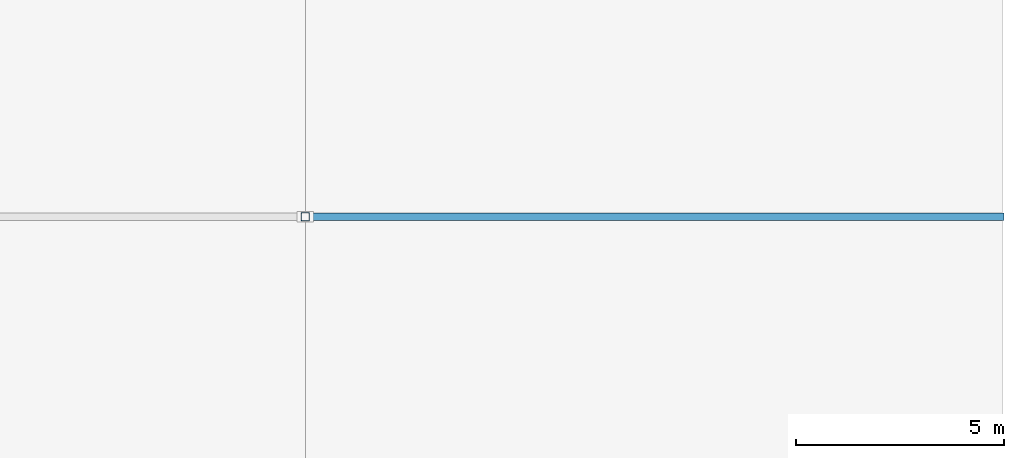
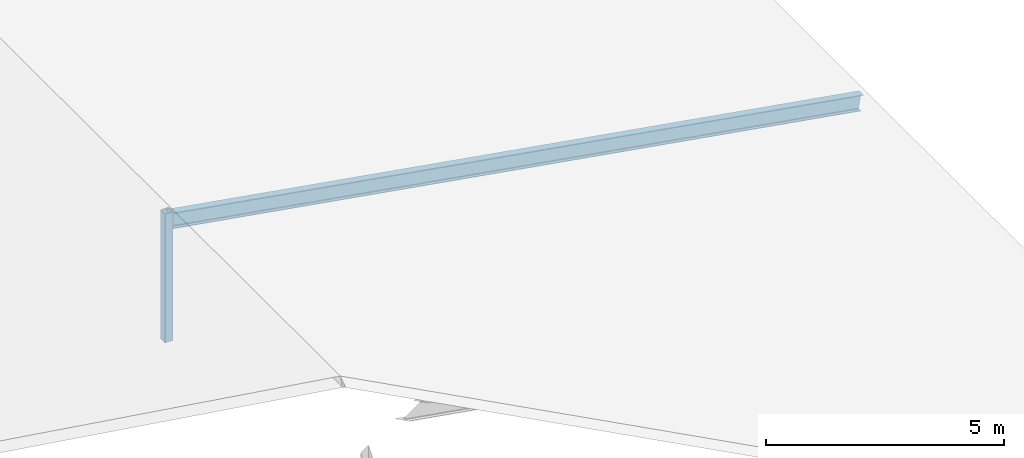
# One storey, part 12 of 31: 1 beam, 1 member.
"""IFC4 building model written with IfcOpenShell, lengths in metres."""

from ifc_helpers import new_model, si_unit, direction, frame, origin, origin_2d, place, context, subcontext, project, spatial, hollow_rectangle, i_section, extrude, material, material_profile, profile_set, type_object, element, save


model = new_model("IFC4")

# Units and contexts
model_context = context("Model", 3, precision=1e-05, world=origin(), true_north=direction((0.0, 1.0)))
body_context = subcontext(model_context, "Body", "Model", "MODEL_VIEW")
ifc_project = project(units=[si_unit("LENGTHUNIT", "METRE"), si_unit("AREAUNIT", "SQUARE_METRE"), si_unit("VOLUMEUNIT", "CUBIC_METRE"), si_unit("PLANEANGLEUNIT", "RADIAN"), si_unit("MASSUNIT", "GRAM", prefix="KILO")], contexts=[model_context])

# Site, building, storey
site_placement = place(None, origin())
site = spatial("IfcSite", under=ifc_project, at=site_placement, CompositionType="ELEMENT")
building_placement = place(site_placement, origin())
building = spatial("IfcBuilding", under=site, at=building_placement, Name="Varnapada Polytechnic", CompositionType="ELEMENT")
storey_placement = place(building_placement, frame((0.0, 0.0, 22.199951171875)))
storey = spatial("IfcBuildingStorey", under=building, at=storey_placement, Name="L05", CompositionType="ELEMENT", Elevation=22.199951171875)

# Beam
ifc_material = material(Name="Steel S355", Category="steel")
ifc_material_profile_1 = material_profile(ifc_material, i_section(OverallWidth=0.179931640625, OverallDepth=0.39990234375, WebThickness=0.008544921875, FlangeThickness=0.013427734375, FilletRadius=0.02099609375, at=origin_2d()), Name="IPE 400")
ifc_profile_set_1 = profile_set([ifc_material_profile_1], Name="Steel S355")
beam_type = type_object("IfcBeamType", Name="Library hipped roof rafter SB-06 (IPE 400)", PredefinedType="BEAM", material=ifc_profile_set_1)
beam_placement = place(storey_placement, frame((176.39990234375, 100.800048828125, 0.2099609375), z_axis=(-0.986009413701, 0.0, 0.166689640028), x_axis=(0.0, -1.0, 0.0)))
element("IfcBeam", 1, at=beam_placement, inside=storey, type_object=beam_type, Name="Library east pitched rafter Y13", PredefinedType="BEAM", context=body_context, shape_type="SweptSolid", body=[
    extrude(i_section(OverallWidth=0.179931640625, OverallDepth=0.39990234375, WebThickness=0.008544921875, FlangeThickness=0.013427734375, FilletRadius=0.02099609375, at=origin_2d()), origin(), (0.0, 0.0, 1.0), 17.0380859375),
])

# Member
ifc_material_profile_2 = material_profile(ifc_material, hollow_rectangle(XDim=0.199951171875, YDim=0.199951171875, WallThickness=0.008056640625, InnerFilletRadius=0.008056640625, OuterFilletRadius=0.01611328125, at=origin_2d()), Name="SHS 200x200x8")
ifc_profile_set_2 = profile_set([ifc_material_profile_2], Name="Steel S355")
member_type = type_object("IfcMemberType", Name="Roof clerestory king post SFP-01 (SHS 200x200x8)", PredefinedType="POST", material=ifc_profile_set_2)
member_placement = place(storey_placement, frame((159.60009765625, 100.800048828125, -0.02001953125), z_axis=(0.0, 0.0, 1.0), x_axis=(1.0, 0.0, 0.0)))
element("IfcMember", 2, at=member_placement, inside=storey, type_object=member_type, Name="Library ridge strut Y13", PredefinedType="POST", context=body_context, shape_type="SweptSolid", body=[
    extrude(hollow_rectangle(XDim=0.199951171875, YDim=0.199951171875, WallThickness=0.008056640625, InnerFilletRadius=0.008056640625, OuterFilletRadius=0.01611328125, at=origin_2d()), origin(), (0.0, 0.0, 1.0), 3.300048828125),
])

save(model, "model.ifc")
